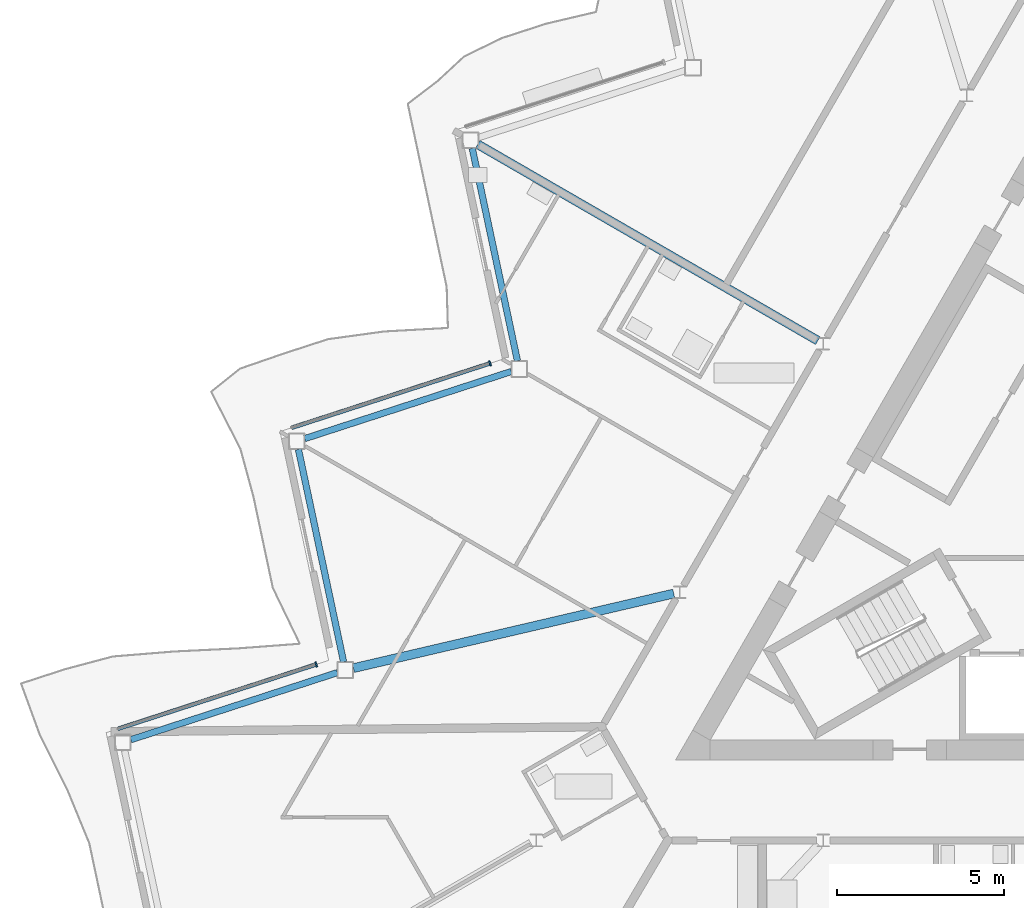
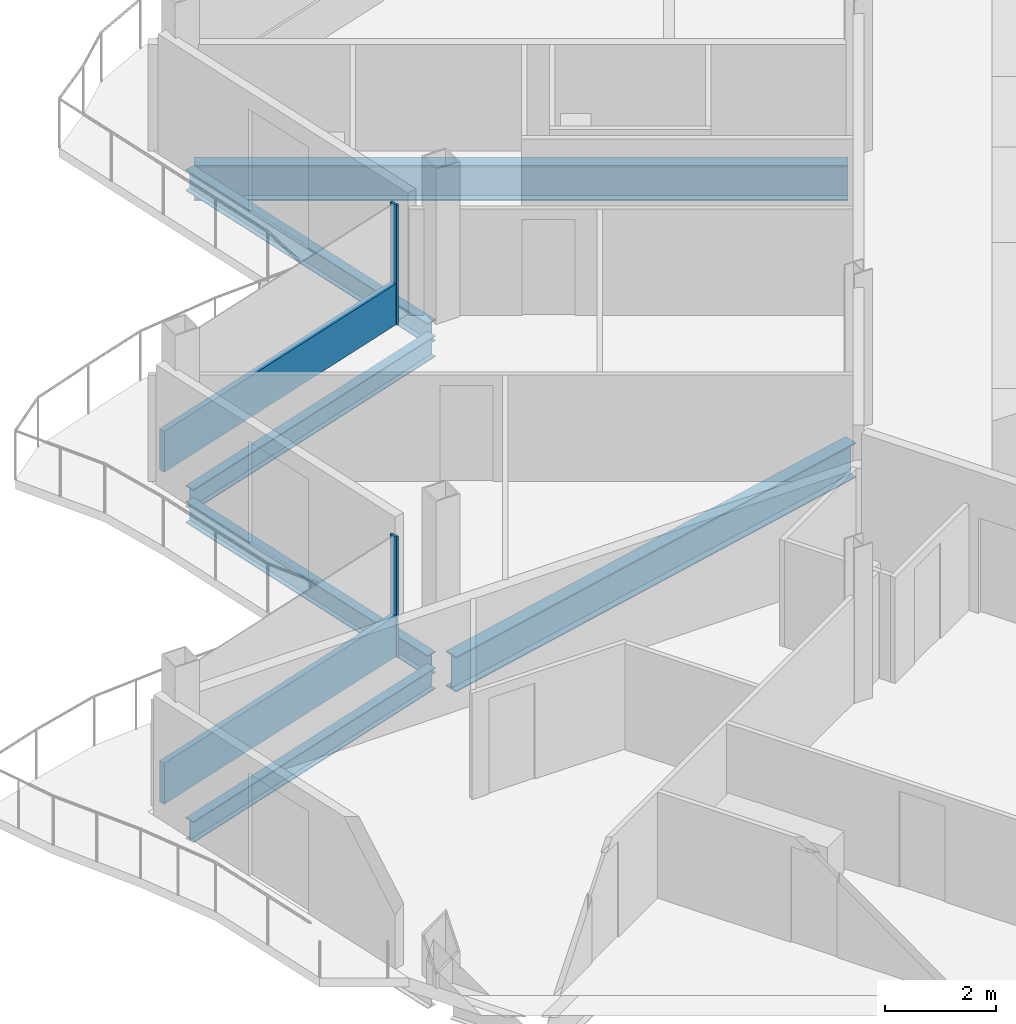
# One storey, part 6 of 26: 6 beams, 4 members, 2 elements without a shape of their own.
"""IFC4 building model written with IfcOpenShell, lengths in metres."""

from ifc_helpers import new_model, si_unit, direction, frame, origin, origin_2d, place, context, subcontext, project, spatial, rectangle, i_section, extrude, material, layer, layer_set, material_profile, profile_set, type_object, element, aggregate, save


model = new_model("IFC4")

# Units and contexts
model_context = context("Model", 3, precision=1e-05, world=origin(), true_north=direction((0.0, 1.0)))
body_context = subcontext(model_context, "Body", "Model", "MODEL_VIEW")
ifc_project = project(units=[si_unit("LENGTHUNIT", "METRE"), si_unit("AREAUNIT", "SQUARE_METRE"), si_unit("VOLUMEUNIT", "CUBIC_METRE"), si_unit("PLANEANGLEUNIT", "RADIAN"), si_unit("MASSUNIT", "GRAM", prefix="KILO")], contexts=[model_context])

# Site, building, storey
site_placement = place(None, origin())
site = spatial("IfcSite", under=ifc_project, at=site_placement, CompositionType="ELEMENT")
building_placement = place(site_placement, origin())
building = spatial("IfcBuilding", under=site, at=building_placement, Name="Cormorant Prow Tower", CompositionType="ELEMENT")
storey_placement = place(building_placement, frame((0.0, 0.0, 374.60009765625)))
storey = spatial("IfcBuildingStorey", under=building, at=storey_placement, Name="L84", CompositionType="ELEMENT", Elevation=374.60009765625)

# Beams
ifc_material_1 = material(Name="Structural steel ASTM A992 Gr 50", Category="steel")
ifc_material_profile_1 = material_profile(ifc_material_1, i_section(OverallWidth=0.267822265625, OverallDepth=0.77001953125, WebThickness=0.015625, FlangeThickness=0.025390625, at=origin_2d()), Name="W30x132")
ifc_profile_set_1 = profile_set([ifc_material_profile_1], Name="Structural steel ASTM A992 Gr 50")
beam_type_1 = type_object("IfcBeamType", Name="Radial floor beam W30x132", PredefinedType="BEAM", material=ifc_profile_set_1)
beam_1_placement = place(storey_placement, frame((-8.740478515625, 5.04638671875, -0.68505859375), z_axis=(-0.866026702285, 0.499997750924, 0.0), x_axis=(-0.499997750924, -0.866026702285, 0.0)))
element("IfcBeam", 1, at=beam_1_placement, inside=storey, type_object=beam_type_1, Name="Radial floor beam FB3 3 L84", PredefinedType="BEAM", context=body_context, shape_type="SweptSolid", body=[
    extrude(i_section(OverallWidth=0.267822265625, OverallDepth=0.77001953125, WebThickness=0.015625, FlangeThickness=0.025390625, at=origin_2d()), origin(), (0.0, 0.0, 1.0), 11.7451171875),
])
beam_2_placement = place(storey_placement, frame((-13.0498046875, -2.518798828125, -0.68505859375), z_axis=(-0.973926084128, -0.226865560752, 0.0), x_axis=(0.226865560752, -0.973926084128, 0.0)))
element("IfcBeam", 2, at=beam_2_placement, inside=storey, type_object=beam_type_1, Name="Radial floor beam FB3 4 L84", PredefinedType="BEAM", context=body_context, shape_type="SweptSolid", body=[
    extrude(i_section(OverallWidth=0.267822265625, OverallDepth=0.77001953125, WebThickness=0.015625, FlangeThickness=0.025390625, at=origin_2d()), origin(), (0.0, 0.0, 1.0), 9.837158203125),
])

# Curtain wall, member
ifc_material_2 = material(Name="Aluminium 6063-T6", Category="aluminium")
ifc_layer = layer(ifc_material_2, 0.159912109375)
ifc_layer_set = layer_set([ifc_layer], Name="Aluminium 6063-T6")
curtain_wall_type = type_object("IfcCurtainWallType", Name="Residential unitised curtain wall 160", PredefinedType="NOTDEFINED", material=ifc_layer_set)
curtain_wall_1_placement = place(storey_placement, origin())
curtain_wall_1 = element("IfcCurtainWall", 3, at=curtain_wall_1_placement, inside=storey, type_object=curtain_wall_type, Name="Residential curtain wall WNW06", PredefinedType="NOTDEFINED")
ifc_material_3 = material(Name="Aluminium 6063-T6", Category="aluminium")
ifc_material_profile_2 = material_profile(ifc_material_3, rectangle(XDim=0.159912109375, YDim=0.050048828125, at=origin_2d()), Name="Residential mullion 50x160")
ifc_profile_set_2 = profile_set([ifc_material_profile_2], Name="Aluminium 6063-T6")
member_type_1 = type_object("IfcMemberType", Name="Residential mullion 50x160", PredefinedType="MULLION", material=ifc_profile_set_2)
member_1_placement = place(storey_placement, frame((-18.546142578125, 4.36767578125, 0.0), z_axis=(0.0, 0.0, 1.0), x_axis=(0.309017066365, -0.951056492904, 0.0)))
member_1 = element("IfcMember", 4, at=member_1_placement, type_object=member_type_1, Name="Residential mullion WNW06", PredefinedType="MULLION", context=body_context, shape_type="SweptSolid", body=[
    extrude(rectangle(XDim=0.159912109375, YDim=0.050048828125, at=origin_2d()), origin(), (0.0, 0.0, 1.0), 2.6337890625),
])

curtain_wall_2_placement = place(storey_placement, origin())
curtain_wall_2 = element("IfcCurtainWall", 5, at=curtain_wall_2_placement, inside=storey, type_object=curtain_wall_type, Name="Residential curtain wall WNW08", PredefinedType="NOTDEFINED")
member_2_placement = place(storey_placement, frame((-23.74609375, -4.63916015625, 0.0), z_axis=(0.0, 0.0, 1.0), x_axis=(0.309017066365, -0.951056492904, 0.0)))
member_2 = element("IfcMember", 6, at=member_2_placement, type_object=member_type_1, Name="Residential mullion WNW08", PredefinedType="MULLION", context=body_context, shape_type="SweptSolid", body=[
    extrude(rectangle(XDim=0.159912109375, YDim=0.050048828125, at=origin_2d()), origin(), (0.0, 0.0, 1.0), 2.6337890625),
])

# Member
ifc_material_4 = material(Name="Terracotta", Category="masonry")
ifc_material_profile_3 = material_profile(ifc_material_4, rectangle(XDim=0.1201171875, YDim=0.89990234375, at=origin_2d()), Name="Residential terracotta spandrel rail 120x900")
ifc_profile_set_3 = profile_set([ifc_material_profile_3], Name="Terracotta")
member_type_2 = type_object("IfcMemberType", Name="Residential terracotta spandrel rail 120x900", PredefinedType="USERDEFINED", material=ifc_profile_set_3)
member_3_placement = place(storey_placement, frame((-18.56982421875, 4.35986328125, 0.449951171875), z_axis=(-0.951056004715, -0.309018568854, 0.0), x_axis=(0.309018568854, -0.951056004715, 0.0)))
member_3 = element("IfcMember", 7, at=member_3_placement, type_object=member_type_2, Name="Residential spandrel rail WNW06", ObjectType="TRANSOM", PredefinedType="USERDEFINED", context=body_context, shape_type="SweptSolid", body=[
    extrude(rectangle(XDim=0.1201171875, YDim=0.89990234375, at=origin_2d()), origin(), (0.0, 0.0, 1.0), 6.21533203125),
])

aggregate(curtain_wall_1, [member_1, member_3])

member_4_placement = place(storey_placement, frame((-23.769775390625, -4.646728515625, 0.449951171875), z_axis=(-0.951056004715, -0.309018568854, 0.0), x_axis=(0.309018568854, -0.951056004715, 0.0)))
member_4 = element("IfcMember", 8, at=member_4_placement, type_object=member_type_2, Name="Residential spandrel rail WNW08", ObjectType="TRANSOM", PredefinedType="USERDEFINED", context=body_context, shape_type="SweptSolid", body=[
    extrude(rectangle(XDim=0.1201171875, YDim=0.89990234375, at=origin_2d()), origin(), (0.0, 0.0, 1.0), 6.21533203125),
])

aggregate(curtain_wall_2, [member_2, member_4])

# Beams
ifc_material_5 = material(Name="Structural steel ASTM A992 Gr 50", Category="steel")
ifc_material_profile_4 = material_profile(ifc_material_5, i_section(OverallWidth=0.19287109375, OverallDepth=0.466064453125, WebThickness=0.011474609375, FlangeThickness=0.01904296875, at=origin_2d()), Name="W18x65")
ifc_profile_set_4 = profile_set([ifc_material_profile_4], Name="Structural steel ASTM A992 Gr 50")
beam_type_2 = type_object("IfcBeamType", Name="Spandrel beam W18x65", PredefinedType="SPANDREL", material=ifc_profile_set_4)
for number, where, z_axis, x_axis, name in (
    (9, (-19.07666015625, 10.79931640625, -0.533203125), (0.207909538847, -0.978148058147, 0.0), (0.978148058147, 0.207909538847, 0.0), "Spandrel beam SB4 WNW05-WNW06 L84"),
    (10, (-17.91162109375, 4.122314453125, -0.533203125), (-0.951053396625, -0.309026595569, 0.0), (0.309026595569, -0.951053396625, 0.0), "Spandrel beam SB4 WNW06-WNW07 L84"),
    (11, (-24.276611328125, 1.792724609375, -0.533203125), (0.207909538847, -0.978148058147, 0.0), (0.978148058147, 0.207909538847, 0.0), "Spandrel beam SB4 WNW07-WNW08 L84"),
    (12, (-23.111572265625, -4.88427734375, -0.533203125), (-0.951053396625, -0.309026595569, 0.0), (0.309026595569, -0.951053396625, 0.0), "Spandrel beam SB4 WNW08-WNW09 L84"),
):
    element("IfcBeam", number, at=place(storey_placement, frame(where, z_axis=z_axis, x_axis=x_axis)), inside=storey, type_object=beam_type_2, Name=name, PredefinedType="SPANDREL", context=body_context, shape_type="SweptSolid", body=[
        extrude(i_section(OverallWidth=0.19287109375, OverallDepth=0.466064453125, WebThickness=0.011474609375, FlangeThickness=0.01904296875, at=origin_2d()), origin(), (0.0, 0.0, 1.0), 6.497314453125),
    ])

save(model, "model.ifc")
